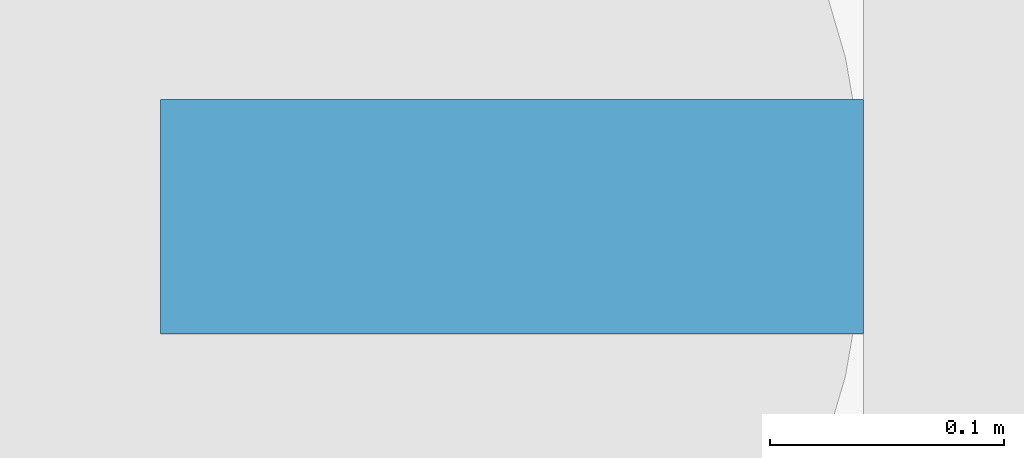
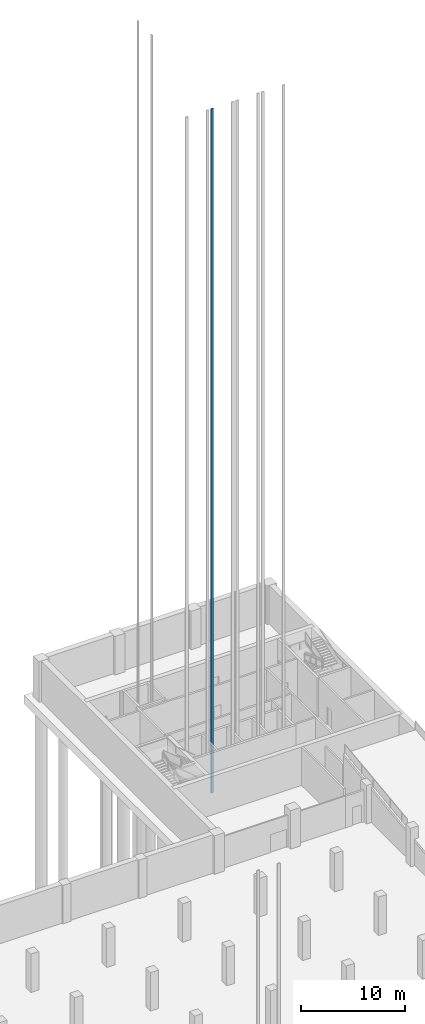
# One storey, part 14 of 26: 1 discrete accessory.
"""IFC4 building model written with IfcOpenShell, lengths in metres."""

from ifc_helpers import new_model, si_unit, direction, frame, origin, origin_2d, place, context, subcontext, project, spatial, rectangle, extrude, material, type_object, element, save


model = new_model("IFC4")

# Units and contexts
model_context = context("Model", 3, precision=1e-05, world=origin(), true_north=direction((0.0, 1.0)))
body_context = subcontext(model_context, "Body", "Model", "MODEL_VIEW")
ifc_project = project(units=[si_unit("LENGTHUNIT", "METRE"), si_unit("AREAUNIT", "SQUARE_METRE"), si_unit("VOLUMEUNIT", "CUBIC_METRE"), si_unit("PLANEANGLEUNIT", "RADIAN"), si_unit("MASSUNIT", "GRAM", prefix="KILO")], contexts=[model_context])

# Site, building, storey
site_placement = place(None, origin())
site = spatial("IfcSite", under=ifc_project, at=site_placement, CompositionType="ELEMENT")
building_placement = place(site_placement, origin())
building = spatial("IfcBuilding", under=site, at=building_placement, Name="Rulbaag Community and Learning Centre", CompositionType="ELEMENT")
storey_placement = place(building_placement, frame((0.0, 0.0, -9.60009765625)))
storey = spatial("IfcBuildingStorey", under=building, at=storey_placement, Name="B2", CompositionType="ELEMENT", Elevation=-9.60009765625)

# Discrete accessory
ifc_material = material(Name="Steel E350", Category="steel")
discrete_accessory_type = type_object("IfcDiscreteAccessoryType", Name="LR-GUIDE RAIL 300 x 100", PredefinedType="BRACKET", material=ifc_material)
discrete_accessory_placement = place(storey_placement, frame((149.949951171875, 97.25, -1.5), z_axis=(0.0, 0.0, 1.0), x_axis=(1.0, 0.0, 0.0)))
element("IfcDiscreteAccessory", 1, at=discrete_accessory_placement, inside=storey, type_object=discrete_accessory_type, Name="Guide rail LP2 W", PredefinedType="BRACKET", context=body_context, shape_type="SweptSolid", body=[
    extrude(rectangle(XDim=0.300048828125, YDim=0.10009765625, at=origin_2d()), origin(), (0.0, 0.0, 1.0), 80.0),
])

save(model, "model.ifc")
